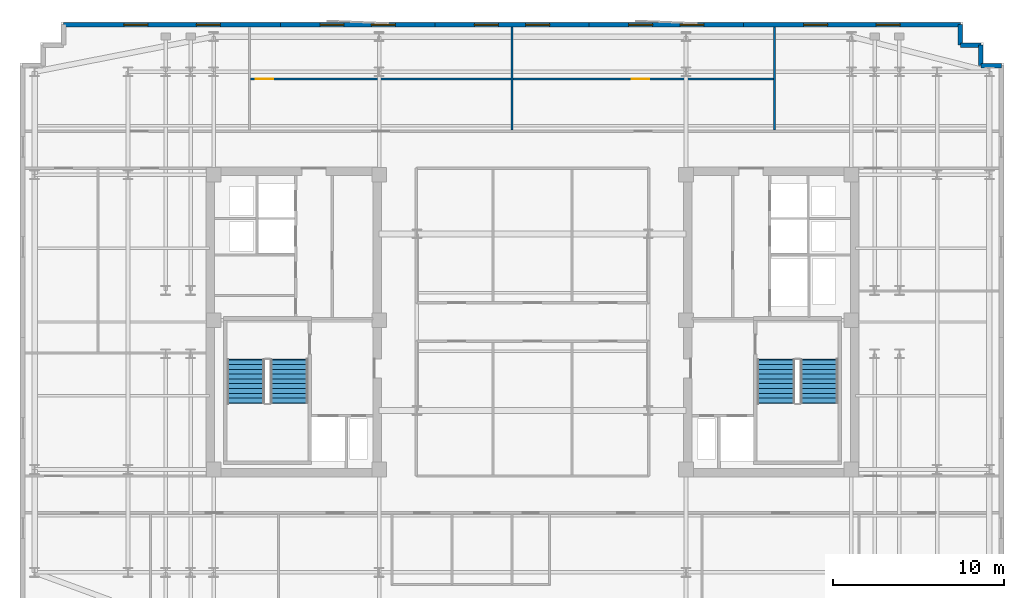
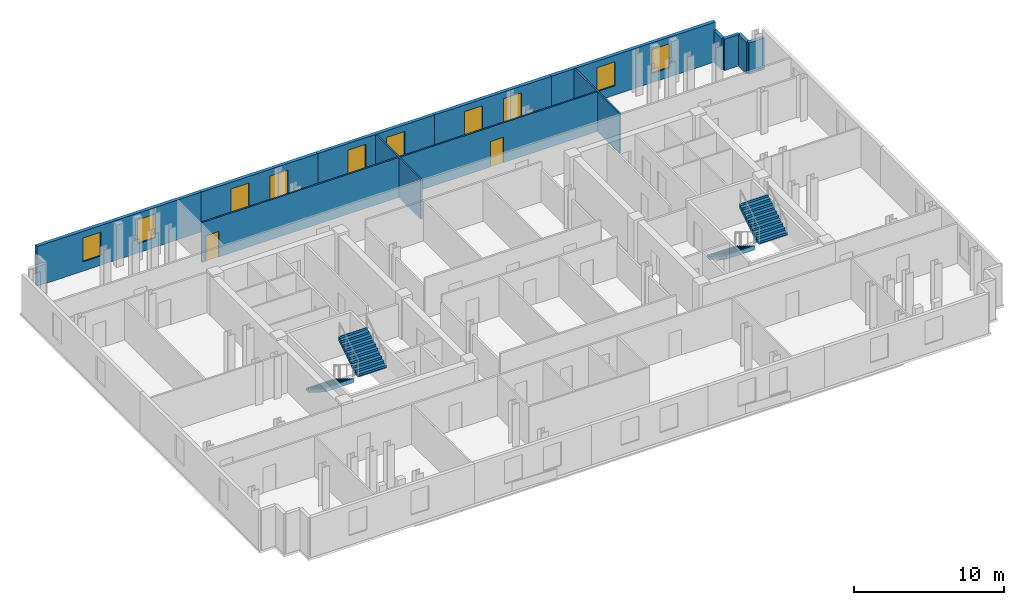
# One storey, part 7 of 9: 12 walls, 10 windows, 4 stair flights, 2 doors, 12 openings, 2 elements without a shape of their own.
"""IFC4 building model written with IfcOpenShell, lengths in metres."""

from ifc_helpers import new_model, si_unit, direction, frame, frame_2d, origin, place, context, subcontext, project, spatial, polyline, rectangle, outline, extrude, material, layer, layer_set, type_object, element, fill, aggregate, save


model = new_model("IFC4")

# Units and contexts
model_context = context("Model", 3, precision=1e-05, world=origin(), true_north=direction((0.0, 1.0)))
body_context = subcontext(model_context, "Body", "Model", "MODEL_VIEW")
ifc_project = project(units=[si_unit("LENGTHUNIT", "METRE"), si_unit("AREAUNIT", "SQUARE_METRE"), si_unit("VOLUMEUNIT", "CUBIC_METRE"), si_unit("PLANEANGLEUNIT", "RADIAN"), si_unit("MASSUNIT", "GRAM", prefix="KILO")], contexts=[model_context])

# Site, building, storey
site_placement = place(None, origin())
site = spatial("IfcSite", under=ifc_project, at=site_placement, CompositionType="ELEMENT")
building_placement = place(site_placement, origin())
building = spatial("IfcBuilding", under=site, at=building_placement, Name="Velakula Bourse", CompositionType="ELEMENT")
storey_placement = place(building_placement, frame((0.0, 0.0, 232.64990234375)))
storey = spatial("IfcBuildingStorey", under=building, at=storey_placement, Name="L63", CompositionType="ELEMENT", Elevation=232.64990234375)

# Wall, openings, windows
ifc_material_1 = material(Name="Buff kilned clay facing brick masonry", Category="masonry")
ifc_layer_1 = layer(ifc_material_1, 0.260009765625, Name="Buff kilned clay facing brick masonry", Category="masonry")
ifc_layer_set_1 = layer_set([ifc_layer_1], Name="Buff kilned clay facing brick masonry")
wall_type_1 = type_object("IfcWallType", Name="WL-EXT-BRK-260", PredefinedType="STANDARD", material=ifc_layer_set_1)
wall_1_placement = place(storey_placement, frame((-27.35009765625, 17.35009765625, 0.0), z_axis=(0.0, 0.0, 1.0), x_axis=(1.0, 0.0, 0.0)))
wall_1 = element("IfcWall", 1, at=wall_1_placement, inside=storey, type_object=wall_type_1, Name="L63 N Brick Spandrel Wall B1", PredefinedType="STANDARD", context=body_context, shape_type="SweptSolid", body=[
    extrude(rectangle(XDim=12.650146484375, YDim=0.260009765625, at=frame_2d((6.3251953125, 0.0))), origin(), (0.0, 0.0, 1.0), 3.25),
])
opening_1_placement = place(wall_1_placement, frame((3.5166015625, 0.0, 0.760009765625)))
opening_1 = element("IfcOpeningElement", 2, at=opening_1_placement, cuts=wall_1, Name="Opening W-03", PredefinedType="OPENING", context=body_context, shape_type="SweptSolid", body=[
    extrude(rectangle(XDim=1.39990234375, YDim=1.949951171875, at=frame_2d((0.699951171875, 0.97509765625))), frame((0.0, 0.139892578125, 0.0), z_axis=(0.0, -1.0, 0.0), x_axis=(1.0, 0.0, 0.0)), (0.0, 0.0, 1.0), 0.280029296875),
])
opening_2_placement = place(wall_1_placement, frame((7.7333984375, 0.0, 0.760009765625)))
opening_2 = element("IfcOpeningElement", 3, at=opening_2_placement, cuts=wall_1, Name="Opening W-03", PredefinedType="OPENING", context=body_context, shape_type="SweptSolid", body=[
    extrude(rectangle(XDim=1.39990234375, YDim=1.949951171875, at=frame_2d((0.699951171875, 0.97509765625))), frame((0.0, 0.139892578125, 0.0), z_axis=(0.0, -1.0, 0.0), x_axis=(1.0, 0.0, 0.0)), (0.0, 0.0, 1.0), 0.280029296875),
])
ifc_material_2 = material(Name="Double-glazed solar-control Low-E glass", Category="glass")
window_type = type_object("IfcWindowType", Name="WIN-TWR-1400x2100", PartitioningType="SINGLE_PANEL", PredefinedType="WINDOW", material=ifc_material_2)
window_1_placement = place(opening_1_placement, origin())
window_1 = element("IfcWindow", 4, at=window_1_placement, inside=storey, type_object=window_type, Name="L63 Deep-Set Recessed Window 1", OverallHeight=1.949951171875, OverallWidth=1.39990234375, PartitioningType="SINGLE_PANEL", PredefinedType="WINDOW", context=body_context, shape_type="SweptSolid", body=[
    extrude(rectangle(XDim=1.39990234375, YDim=1.949951171875, at=frame_2d((0.699951171875, 0.97509765625))), frame((0.0, 0.030029296875, 0.0), z_axis=(0.0, -1.0, 0.0), x_axis=(1.0, 0.0, 0.0)), (0.0, 0.0, 1.0), 0.06005859375),
])
fill(opening_1, window_1)
window_2_placement = place(opening_2_placement, origin())
window_2 = element("IfcWindow", 5, at=window_2_placement, inside=storey, type_object=window_type, Name="L63 Deep-Set Recessed Window 2", OverallHeight=1.949951171875, OverallWidth=1.39990234375, PartitioningType="SINGLE_PANEL", PredefinedType="WINDOW", context=body_context, shape_type="SweptSolid", body=[
    extrude(rectangle(XDim=1.39990234375, YDim=1.949951171875, at=frame_2d((0.699951171875, 0.97509765625))), frame((0.0, 0.030029296875, 0.0), z_axis=(0.0, -1.0, 0.0), x_axis=(1.0, 0.0, 0.0)), (0.0, 0.0, 1.0), 0.06005859375),
])
fill(opening_2, window_2)

wall_2_placement = place(storey_placement, frame((-14.699951171875, 17.35009765625, 0.0), z_axis=(0.0, 0.0, 1.0), x_axis=(1.0, 0.0, 0.0)))
wall_2 = element("IfcWall", 6, at=wall_2_placement, inside=storey, type_object=wall_type_1, Name="L63 N Brick Spandrel Wall B2", PredefinedType="STANDARD", context=body_context, shape_type="SweptSolid", body=[
    extrude(rectangle(XDim=9.0, YDim=0.260009765625, at=frame_2d((4.5, 0.0))), origin(), (0.0, 0.0, 1.0), 3.25),
])
opening_3_placement = place(wall_2_placement, frame((2.300048828125, 0.0, 0.760009765625)))
opening_3 = element("IfcOpeningElement", 7, at=opening_3_placement, cuts=wall_2, Name="Opening W-03", PredefinedType="OPENING", context=body_context, shape_type="SweptSolid", body=[
    extrude(rectangle(XDim=1.39990234375, YDim=1.949951171875, at=frame_2d((0.699951171875, 0.97509765625))), frame((0.0, 0.139892578125, 0.0), z_axis=(0.0, -1.0, 0.0), x_axis=(1.0, 0.0, 0.0)), (0.0, 0.0, 1.0), 0.280029296875),
])
opening_4_placement = place(wall_2_placement, frame((5.300048828125, 0.0, 0.760009765625)))
opening_4 = element("IfcOpeningElement", 8, at=opening_4_placement, cuts=wall_2, Name="Opening W-03", PredefinedType="OPENING", context=body_context, shape_type="SweptSolid", body=[
    extrude(rectangle(XDim=1.39990234375, YDim=1.949951171875, at=frame_2d((0.699951171875, 0.97509765625))), frame((0.0, 0.139892578125, 0.0), z_axis=(0.0, -1.0, 0.0), x_axis=(1.0, 0.0, 0.0)), (0.0, 0.0, 1.0), 0.280029296875),
])
window_3_placement = place(opening_3_placement, origin())
window_3 = element("IfcWindow", 9, at=window_3_placement, inside=storey, type_object=window_type, Name="L63 Deep-Set Recessed Window 1", OverallHeight=1.949951171875, OverallWidth=1.39990234375, PartitioningType="SINGLE_PANEL", PredefinedType="WINDOW", context=body_context, shape_type="SweptSolid", body=[
    extrude(rectangle(XDim=1.39990234375, YDim=1.949951171875, at=frame_2d((0.699951171875, 0.97509765625))), frame((0.0, 0.030029296875, 0.0), z_axis=(0.0, -1.0, 0.0), x_axis=(1.0, 0.0, 0.0)), (0.0, 0.0, 1.0), 0.06005859375),
])
fill(opening_3, window_3)
window_4_placement = place(opening_4_placement, origin())
window_4 = element("IfcWindow", 10, at=window_4_placement, inside=storey, type_object=window_type, Name="L63 Deep-Set Recessed Window 2", OverallHeight=1.949951171875, OverallWidth=1.39990234375, PartitioningType="SINGLE_PANEL", PredefinedType="WINDOW", context=body_context, shape_type="SweptSolid", body=[
    extrude(rectangle(XDim=1.39990234375, YDim=1.949951171875, at=frame_2d((0.699951171875, 0.97509765625))), frame((0.0, 0.030029296875, 0.0), z_axis=(0.0, -1.0, 0.0), x_axis=(1.0, 0.0, 0.0)), (0.0, 0.0, 1.0), 0.06005859375),
])
fill(opening_4, window_4)

wall_3_placement = place(storey_placement, frame((-5.699951171875, 17.35009765625, 0.0), z_axis=(0.0, 0.0, 1.0), x_axis=(1.0, 0.0, 0.0)))
wall_3 = element("IfcWall", 11, at=wall_3_placement, inside=storey, type_object=wall_type_1, Name="L63 N Brick Spandrel Wall B3", PredefinedType="STANDARD", context=body_context, shape_type="SweptSolid", body=[
    extrude(rectangle(XDim=9.0, YDim=0.260009765625, at=frame_2d((4.5, 0.0))), origin(), (0.0, 0.0, 1.0), 3.25),
])
opening_5_placement = place(wall_3_placement, frame((2.300048828125, 0.0, 0.760009765625)))
opening_5 = element("IfcOpeningElement", 12, at=opening_5_placement, cuts=wall_3, Name="Opening W-03", PredefinedType="OPENING", context=body_context, shape_type="SweptSolid", body=[
    extrude(rectangle(XDim=1.39990234375, YDim=1.949951171875, at=frame_2d((0.699951171875, 0.97509765625))), frame((0.0, 0.139892578125, 0.0), z_axis=(0.0, -1.0, 0.0), x_axis=(1.0, 0.0, 0.0)), (0.0, 0.0, 1.0), 0.280029296875),
])
opening_6_placement = place(wall_3_placement, frame((5.300048828125, 0.0, 0.760009765625)))
opening_6 = element("IfcOpeningElement", 13, at=opening_6_placement, cuts=wall_3, Name="Opening W-03", PredefinedType="OPENING", context=body_context, shape_type="SweptSolid", body=[
    extrude(rectangle(XDim=1.39990234375, YDim=1.949951171875, at=frame_2d((0.699951171875, 0.97509765625))), frame((0.0, 0.139892578125, 0.0), z_axis=(0.0, -1.0, 0.0), x_axis=(1.0, 0.0, 0.0)), (0.0, 0.0, 1.0), 0.280029296875),
])
window_5_placement = place(opening_5_placement, origin())
window_5 = element("IfcWindow", 14, at=window_5_placement, inside=storey, type_object=window_type, Name="L63 Deep-Set Recessed Window 1", OverallHeight=1.949951171875, OverallWidth=1.39990234375, PartitioningType="SINGLE_PANEL", PredefinedType="WINDOW", context=body_context, shape_type="SweptSolid", body=[
    extrude(rectangle(XDim=1.39990234375, YDim=1.949951171875, at=frame_2d((0.699951171875, 0.97509765625))), frame((0.0, 0.030029296875, 0.0), z_axis=(0.0, -1.0, 0.0), x_axis=(1.0, 0.0, 0.0)), (0.0, 0.0, 1.0), 0.06005859375),
])
fill(opening_5, window_5)
window_6_placement = place(opening_6_placement, origin())
window_6 = element("IfcWindow", 15, at=window_6_placement, inside=storey, type_object=window_type, Name="L63 Deep-Set Recessed Window 2", OverallHeight=1.949951171875, OverallWidth=1.39990234375, PartitioningType="SINGLE_PANEL", PredefinedType="WINDOW", context=body_context, shape_type="SweptSolid", body=[
    extrude(rectangle(XDim=1.39990234375, YDim=1.949951171875, at=frame_2d((0.699951171875, 0.97509765625))), frame((0.0, 0.030029296875, 0.0), z_axis=(0.0, -1.0, 0.0), x_axis=(1.0, 0.0, 0.0)), (0.0, 0.0, 1.0), 0.06005859375),
])
fill(opening_6, window_6)

wall_4_placement = place(storey_placement, frame((3.300048828125, 17.35009765625, 0.0), z_axis=(0.0, 0.0, 1.0), x_axis=(1.0, 0.0, 0.0)))
wall_4 = element("IfcWall", 16, at=wall_4_placement, inside=storey, type_object=wall_type_1, Name="L63 N Brick Spandrel Wall B4", PredefinedType="STANDARD", context=body_context, shape_type="SweptSolid", body=[
    extrude(rectangle(XDim=9.0, YDim=0.260009765625, at=frame_2d((4.5, 0.0))), origin(), (0.0, 0.0, 1.0), 3.25),
])
opening_7_placement = place(wall_4_placement, frame((2.300048828125, 0.0, 0.760009765625)))
opening_7 = element("IfcOpeningElement", 17, at=opening_7_placement, cuts=wall_4, Name="Opening W-03", PredefinedType="OPENING", context=body_context, shape_type="SweptSolid", body=[
    extrude(rectangle(XDim=1.39990234375, YDim=1.949951171875, at=frame_2d((0.699951171875, 0.97509765625))), frame((0.0, 0.139892578125, 0.0), z_axis=(0.0, -1.0, 0.0), x_axis=(1.0, 0.0, 0.0)), (0.0, 0.0, 1.0), 0.280029296875),
])
opening_8_placement = place(wall_4_placement, frame((5.300048828125, 0.0, 0.760009765625)))
opening_8 = element("IfcOpeningElement", 18, at=opening_8_placement, cuts=wall_4, Name="Opening W-03", PredefinedType="OPENING", context=body_context, shape_type="SweptSolid", body=[
    extrude(rectangle(XDim=1.39990234375, YDim=1.949951171875, at=frame_2d((0.699951171875, 0.97509765625))), frame((0.0, 0.139892578125, 0.0), z_axis=(0.0, -1.0, 0.0), x_axis=(1.0, 0.0, 0.0)), (0.0, 0.0, 1.0), 0.280029296875),
])
window_7_placement = place(opening_7_placement, origin())
window_7 = element("IfcWindow", 19, at=window_7_placement, inside=storey, type_object=window_type, Name="L63 Deep-Set Recessed Window 1", OverallHeight=1.949951171875, OverallWidth=1.39990234375, PartitioningType="SINGLE_PANEL", PredefinedType="WINDOW", context=body_context, shape_type="SweptSolid", body=[
    extrude(rectangle(XDim=1.39990234375, YDim=1.949951171875, at=frame_2d((0.699951171875, 0.97509765625))), frame((0.0, 0.030029296875, 0.0), z_axis=(0.0, -1.0, 0.0), x_axis=(1.0, 0.0, 0.0)), (0.0, 0.0, 1.0), 0.06005859375),
])
fill(opening_7, window_7)
window_8_placement = place(opening_8_placement, origin())
window_8 = element("IfcWindow", 20, at=window_8_placement, inside=storey, type_object=window_type, Name="L63 Deep-Set Recessed Window 2", OverallHeight=1.949951171875, OverallWidth=1.39990234375, PartitioningType="SINGLE_PANEL", PredefinedType="WINDOW", context=body_context, shape_type="SweptSolid", body=[
    extrude(rectangle(XDim=1.39990234375, YDim=1.949951171875, at=frame_2d((0.699951171875, 0.97509765625))), frame((0.0, 0.030029296875, 0.0), z_axis=(0.0, -1.0, 0.0), x_axis=(1.0, 0.0, 0.0)), (0.0, 0.0, 1.0), 0.06005859375),
])
fill(opening_8, window_8)

wall_5_placement = place(storey_placement, frame((12.300048828125, 17.35009765625, 0.0), z_axis=(0.0, 0.0, 1.0), x_axis=(1.0, 0.0, 0.0)))
wall_5 = element("IfcWall", 21, at=wall_5_placement, inside=storey, type_object=wall_type_1, Name="L63 N Brick Spandrel Wall B5", PredefinedType="STANDARD", context=body_context, shape_type="SweptSolid", body=[
    extrude(rectangle(XDim=12.64990234375, YDim=0.260009765625, at=frame_2d((6.324951171875, 0.0))), origin(), (0.0, 0.0, 1.0), 3.25),
])
opening_9_placement = place(wall_5_placement, frame((3.5166015625, 0.0, 0.760009765625)))
opening_9 = element("IfcOpeningElement", 22, at=opening_9_placement, cuts=wall_5, Name="Opening W-03", PredefinedType="OPENING", context=body_context, shape_type="SweptSolid", body=[
    extrude(rectangle(XDim=1.39990234375, YDim=1.949951171875, at=frame_2d((0.699951171875, 0.97509765625))), frame((0.0, 0.139892578125, 0.0), z_axis=(0.0, -1.0, 0.0), x_axis=(1.0, 0.0, 0.0)), (0.0, 0.0, 1.0), 0.280029296875),
])
opening_10_placement = place(wall_5_placement, frame((7.7333984375, 0.0, 0.760009765625)))
opening_10 = element("IfcOpeningElement", 23, at=opening_10_placement, cuts=wall_5, Name="Opening W-03", PredefinedType="OPENING", context=body_context, shape_type="SweptSolid", body=[
    extrude(rectangle(XDim=1.39990234375, YDim=1.949951171875, at=frame_2d((0.699951171875, 0.97509765625))), frame((0.0, 0.139892578125, 0.0), z_axis=(0.0, -1.0, 0.0), x_axis=(1.0, 0.0, 0.0)), (0.0, 0.0, 1.0), 0.280029296875),
])
window_9_placement = place(opening_9_placement, origin())
window_9 = element("IfcWindow", 24, at=window_9_placement, inside=storey, type_object=window_type, Name="L63 Deep-Set Recessed Window 1", OverallHeight=1.949951171875, OverallWidth=1.39990234375, PartitioningType="SINGLE_PANEL", PredefinedType="WINDOW", context=body_context, shape_type="SweptSolid", body=[
    extrude(rectangle(XDim=1.39990234375, YDim=1.949951171875, at=frame_2d((0.699951171875, 0.97509765625))), frame((0.0, 0.030029296875, 0.0), z_axis=(0.0, -1.0, 0.0), x_axis=(1.0, 0.0, 0.0)), (0.0, 0.0, 1.0), 0.06005859375),
])
fill(opening_9, window_9)
window_10_placement = place(opening_10_placement, origin())
window_10 = element("IfcWindow", 25, at=window_10_placement, inside=storey, type_object=window_type, Name="L63 Deep-Set Recessed Window 2", OverallHeight=1.949951171875, OverallWidth=1.39990234375, PartitioningType="SINGLE_PANEL", PredefinedType="WINDOW", context=body_context, shape_type="SweptSolid", body=[
    extrude(rectangle(XDim=1.39990234375, YDim=1.949951171875, at=frame_2d((0.699951171875, 0.97509765625))), frame((0.0, 0.030029296875, 0.0), z_axis=(0.0, -1.0, 0.0), x_axis=(1.0, 0.0, 0.0)), (0.0, 0.0, 1.0), 0.06005859375),
])
fill(opening_10, window_10)

# Walls
wall_6_placement = place(storey_placement, frame((27.35009765625, 14.949951171875, 0.0), z_axis=(0.0, 0.0, 1.0), x_axis=(-1.0, 0.0, 0.0)))
element("IfcWall", 26, at=wall_6_placement, inside=storey, type_object=wall_type_1, Name="L63 Serrated Corner Brick Wall NE-1", PredefinedType="STANDARD", context=body_context, shape_type="SweptSolid", body=[
    extrude(rectangle(XDim=1.2001953125, YDim=0.260009765625, at=frame_2d((0.60009765625, 0.0))), origin(), (0.0, 0.0, 1.0), 2.565185546875),
])
for number, where, z_axis, x_axis, name in (
    (27, (26.14990234375, 14.949951171875, 0.0), (0.0, 0.0, 1.0), (0.0, 1.0, 0.0), "L63 Serrated Corner Brick Wall NE-2"),
    (28, (26.14990234375, 16.14990234375, 0.0), (0.0, 0.0, 1.0), (-1.0, 0.0, 0.0), "L63 Serrated Corner Brick Wall NE-3"),
):
    element("IfcWall", number, at=place(storey_placement, frame(where, z_axis=z_axis, x_axis=x_axis)), inside=storey, type_object=wall_type_1, Name=name, PredefinedType="STANDARD", context=body_context, shape_type="SweptSolid", body=[
        extrude(rectangle(XDim=1.199951171875, YDim=0.260009765625, at=frame_2d((0.60009765625, 0.0))), origin(), (0.0, 0.0, 1.0), 2.565185546875),
    ])
wall_7_placement = place(storey_placement, frame((24.949951171875, 16.14990234375, 0.0), z_axis=(0.0, 0.0, 1.0), x_axis=(0.0, 1.0, 0.0)))
element("IfcWall", 29, at=wall_7_placement, inside=storey, type_object=wall_type_1, Name="L63 Serrated Corner Brick Wall NE-4", PredefinedType="STANDARD", context=body_context, shape_type="SweptSolid", body=[
    extrude(rectangle(XDim=1.2001953125, YDim=0.260009765625, at=frame_2d((0.60009765625, 0.0))), origin(), (0.0, 0.0, 1.0), 2.565185546875),
])
ifc_material_3 = material(Name="Fire-rated double-layer gypsum drywall partition", Category="gypsum")
ifc_layer_2 = layer(ifc_material_3, 0.1201171875, Name="Fire-rated double-layer gypsum drywall partition", Category="gypsum")
ifc_layer_set_2 = layer_set([ifc_layer_2], Name="Fire-rated double-layer gypsum drywall partition")
wall_type_2 = type_object("IfcWallType", Name="WL-PART-120", PredefinedType="STANDARD", material=ifc_layer_set_2)
for number, where, z_axis, x_axis, name in (
    (30, (-1.199951171875, 11.18994140625, 0.0), (0.0, 0.0, 1.0), (0.0, 1.0, 0.0), "L63 Interior Partition WL-INT-L63-N-D2"),
    (31, (14.114013671875, 11.18994140625, 0.0), (0.0, 0.0, 1.0), (0.0, 1.0, 0.0), "L63 Interior Partition WL-INT-L63-N-D3"),
):
    element("IfcWall", number, at=place(storey_placement, frame(where, z_axis=z_axis, x_axis=x_axis)), inside=storey, type_object=wall_type_2, Name=name, PredefinedType="STANDARD", context=body_context, shape_type="SweptSolid", body=[
        extrude(rectangle(XDim=6.030029296875, YDim=0.1201171875, at=frame_2d((3.01513671875, 0.0))), origin(), (0.0, 0.0, 1.0), 3.25),
    ])

# Wall, openings, doors
wall_8_placement = place(storey_placement, frame((-16.4541015625, 14.175048828125, 0.0), z_axis=(0.0, 0.0, 1.0), x_axis=(1.0, 0.0, 0.0)))
wall_8 = element("IfcWall", 32, at=wall_8_placement, inside=storey, type_object=wall_type_2, Name="L63 Interior Partition WL-INT-L63-N-MID", PredefinedType="STANDARD", context=body_context, shape_type="SweptSolid", body=[
    extrude(rectangle(XDim=30.508056640625, YDim=0.1201171875, at=frame_2d((15.25390625, 0.0))), origin(), (0.0, 0.0, 1.0), 3.25),
])
opening_11_placement = place(wall_8_placement, frame((0.320068359375, 0.0, 0.0)))
opening_11 = element("IfcOpeningElement", 33, at=opening_11_placement, cuts=wall_8, Name="Opening D-OF1", PredefinedType="OPENING", context=body_context, shape_type="SweptSolid", body=[
    extrude(rectangle(XDim=1.0, YDim=2.080078125, at=frame_2d((0.5, 1.0400390625))), frame((0.0, 0.070068359375, 0.0), z_axis=(0.0, -1.0, 0.0), x_axis=(1.0, 0.0, 0.0)), (0.0, 0.0, 1.0), 0.14013671875),
])
opening_12_placement = place(wall_8_placement, frame((22.25390625, 0.0, 0.0)))
opening_12 = element("IfcOpeningElement", 34, at=opening_12_placement, cuts=wall_8, Name="Opening D-OF1", PredefinedType="OPENING", context=body_context, shape_type="SweptSolid", body=[
    extrude(rectangle(XDim=1.0, YDim=2.080078125, at=frame_2d((0.5, 1.0400390625))), frame((0.0, 0.070068359375, 0.0), z_axis=(0.0, -1.0, 0.0), x_axis=(1.0, 0.0, 0.0)), (0.0, 0.0, 1.0), 0.14013671875),
])
ifc_material_4 = material(Name="Fire-rated hardwood flush architectural door", Category="wood")
door_type = type_object("IfcDoorType", Name="DR-OFF-1000", OperationType="NOTDEFINED", PredefinedType="DOOR", material=ifc_material_4)
door_1_placement = place(opening_11_placement, origin())
door_1 = element("IfcDoor", 35, at=door_1_placement, inside=storey, type_object=door_type, Name="L63 Clearing Committee Room Door", OperationType="SINGLE_SWING_LEFT", OverallHeight=2.080078125, OverallWidth=1.0, PredefinedType="DOOR", context=body_context, shape_type="SweptSolid", body=[
    extrude(rectangle(XDim=1.0, YDim=2.080078125, at=frame_2d((0.5, 1.0400390625))), frame((0.0, 0.02490234375, 0.0), z_axis=(0.0, -1.0, 0.0), x_axis=(1.0, 0.0, 0.0)), (0.0, 0.0, 1.0), 0.050048828125),
])
fill(opening_11, door_1)
door_2_placement = place(opening_12_placement, origin())
door_2 = element("IfcDoor", 36, at=door_2_placement, inside=storey, type_object=door_type, Name="L63 Tea Room Kitchenette Door", OperationType="SINGLE_SWING_LEFT", OverallHeight=2.080078125, OverallWidth=1.0, PredefinedType="DOOR", context=body_context, shape_type="SweptSolid", body=[
    extrude(rectangle(XDim=1.0, YDim=2.080078125, at=frame_2d((0.5, 1.0400390625))), frame((0.0, 0.02490234375, 0.0), z_axis=(0.0, -1.0, 0.0), x_axis=(1.0, 0.0, 0.0)), (0.0, 0.0, 1.0), 0.050048828125),
])
fill(opening_12, door_2)

# Stair, stair flights
ifc_material_5 = material(Name="Concrete M45 (fck 45 MPa)", Category="concrete")
stair_type = type_object("IfcStairType", Name="STR-DOG-390", PredefinedType="HALF_TURN_STAIR", material=ifc_material_5)
stair_1_placement = place(storey_placement, origin())
stair_1 = element("IfcStair", 37, at=stair_1_placement, inside=storey, type_object=stair_type, Name="L63 West Core Exit Stair ST-W1", PredefinedType="HALF_TURN_STAIR")
ifc_layer_3 = layer(ifc_material_5, 0.195068359375, Name="Concrete M45 (fck 45 MPa)", Category="concrete")
ifc_layer_set_3 = layer_set([ifc_layer_3], Name="Concrete M45 (fck 45 MPa)")
stair_flight_type = type_object("IfcStairFlightType", Name="FLT-DOG-390", PredefinedType="STRAIGHT", material=ifc_layer_set_3)
stair_flight_1_placement = place(storey_placement, frame((-16.720947265625, -2.199951171875, 0.0), z_axis=(0.0, 0.0, 1.0), x_axis=(0.0, -1.0, 0.0)))
stair_flight_1 = element("IfcStairFlight", 38, at=stair_flight_1_placement, type_object=stair_flight_type, Name="ST-W1 flight 1", NumberOfRisers=10, NumberOfTreads=9, PredefinedType="STRAIGHT", RiserHeight=0.1725, TreadLength=0.28, context=body_context, shape_type="SweptSolid", body=[
    extrude(outline(polyline([(-0.044921875, -0.0400390625), (-0.044921875, -0.036865234375), (-0.044921875, -0.033935546875), (-0.044921875, -0.03076171875), (-0.044921875, -0.027587890625), (-0.044921875, -0.024658203125), (-0.044921875, -0.021484375), (-0.044921875, -0.0185546875), (-0.044921875, -0.015380859375), (-0.044921875, -0.01220703125), (-0.044921875, -0.00927734375), (-0.044921875, -0.006103515625), (-0.044921875, -0.003173828125), (-0.044921875, 0.0), (0.0, 0.0), (0.0, 0.172607421875), (0.280029296875, 0.172607421875), (0.280029296875, 0.344970703125), (0.56005859375, 0.344970703125), (0.56005859375, 0.517578125), (0.840087890625, 0.517578125), (0.840087890625, 0.68994140625), (1.1201171875, 0.68994140625), (1.1201171875, 0.862548828125), (1.39990234375, 0.862548828125), (1.39990234375, 1.034912109375), (1.679931640625, 1.034912109375), (1.679931640625, 1.20751953125), (1.9599609375, 1.20751953125), (1.9599609375, 1.3798828125), (2.239990234375, 1.3798828125), (2.239990234375, 1.552490234375), (2.52001953125, 1.552490234375), (2.52001953125, 1.72509765625), (2.56494140625, 1.72509765625), (2.56494140625, 1.7001953125), (2.56494140625, 1.67529296875), (2.56494140625, 1.650390625), (2.56494140625, 1.62548828125), (2.56494140625, 1.6005859375), (2.56494140625, 1.57568359375), (2.56494140625, 1.55078125), (2.56494140625, 1.52587890625), (2.56494140625, 1.5009765625), (2.56494140625, 1.47607421875), (2.56494140625, 1.451171875), (2.56494140625, 1.42626953125), (2.56494140625, 1.4013671875), (2.56494140625, 1.37646484375), (0.285888671875, -0.0400390625), (-0.044921875, -0.0400390625)])), frame((0.0, 1.09912109375, 0.0), z_axis=(0.0, -1.0, 0.0), x_axis=(1.0, 0.0, 0.0)), (0.0, 0.0, 1.0), 2.197998046875),
])
stair_flight_2_placement = place(storey_placement, frame((-14.198974609375, -4.719970703125, 1.72509765625), z_axis=(0.0, 0.0, 1.0), x_axis=(0.0, 1.0, 0.0)))
stair_flight_2 = element("IfcStairFlight", 39, at=stair_flight_2_placement, type_object=stair_flight_type, Name="ST-W1 flight 2", NumberOfRisers=10, NumberOfTreads=9, PredefinedType="STRAIGHT", RiserHeight=0.1725, TreadLength=0.28, context=body_context, shape_type="SweptSolid", body=[
    extrude(outline(polyline([(-0.044921875, -0.0400390625), (-0.044921875, -0.036865234375), (-0.044921875, -0.033935546875), (-0.044921875, -0.03076171875), (-0.044921875, -0.027587890625), (-0.044921875, -0.024658203125), (-0.044921875, -0.021484375), (-0.044921875, -0.0185546875), (-0.044921875, -0.015380859375), (-0.044921875, -0.01220703125), (-0.044921875, -0.00927734375), (-0.044921875, -0.006103515625), (-0.044921875, -0.003173828125), (-0.044921875, 0.0), (0.0, 0.0), (0.0, 0.172607421875), (0.280029296875, 0.172607421875), (0.280029296875, 0.344970703125), (0.56005859375, 0.344970703125), (0.56005859375, 0.517578125), (0.840087890625, 0.517578125), (0.840087890625, 0.68994140625), (1.1201171875, 0.68994140625), (1.1201171875, 0.862548828125), (1.39990234375, 0.862548828125), (1.39990234375, 1.034912109375), (1.679931640625, 1.034912109375), (1.679931640625, 1.20751953125), (1.9599609375, 1.20751953125), (1.9599609375, 1.3798828125), (2.239990234375, 1.3798828125), (2.239990234375, 1.552490234375), (2.52001953125, 1.552490234375), (2.52001953125, 1.72509765625), (2.56494140625, 1.72509765625), (2.56494140625, 1.7001953125), (2.56494140625, 1.67529296875), (2.56494140625, 1.650390625), (2.56494140625, 1.62548828125), (2.56494140625, 1.6005859375), (2.56494140625, 1.57568359375), (2.56494140625, 1.55078125), (2.56494140625, 1.52587890625), (2.56494140625, 1.5009765625), (2.56494140625, 1.47607421875), (2.56494140625, 1.451171875), (2.56494140625, 1.42626953125), (2.56494140625, 1.4013671875), (2.56494140625, 1.37646484375), (0.285888671875, -0.0400390625), (-0.044921875, -0.0400390625)])), frame((0.0, 1.09912109375, 0.0), z_axis=(0.0, -1.0, 0.0), x_axis=(1.0, 0.0, 0.0)), (0.0, 0.0, 1.0), 2.197998046875),
])
aggregate(stair_1, [stair_flight_1, stair_flight_2])

stair_2_placement = place(storey_placement, origin())
stair_2 = element("IfcStair", 40, at=stair_2_placement, inside=storey, type_object=stair_type, Name="L63 East Core Exit Stair ST-E1", PredefinedType="HALF_TURN_STAIR")
stair_flight_3_placement = place(storey_placement, frame((14.198974609375, -2.199951171875, 0.0), z_axis=(0.0, 0.0, 1.0), x_axis=(0.0, -1.0, 0.0)))
stair_flight_3 = element("IfcStairFlight", 41, at=stair_flight_3_placement, type_object=stair_flight_type, Name="ST-E1 flight 1", NumberOfRisers=10, NumberOfTreads=9, PredefinedType="STRAIGHT", RiserHeight=0.1725, TreadLength=0.28, context=body_context, shape_type="SweptSolid", body=[
    extrude(outline(polyline([(-0.044921875, -0.0400390625), (-0.044921875, -0.036865234375), (-0.044921875, -0.033935546875), (-0.044921875, -0.03076171875), (-0.044921875, -0.027587890625), (-0.044921875, -0.024658203125), (-0.044921875, -0.021484375), (-0.044921875, -0.0185546875), (-0.044921875, -0.015380859375), (-0.044921875, -0.01220703125), (-0.044921875, -0.00927734375), (-0.044921875, -0.006103515625), (-0.044921875, -0.003173828125), (-0.044921875, 0.0), (0.0, 0.0), (0.0, 0.172607421875), (0.280029296875, 0.172607421875), (0.280029296875, 0.344970703125), (0.56005859375, 0.344970703125), (0.56005859375, 0.517578125), (0.840087890625, 0.517578125), (0.840087890625, 0.68994140625), (1.1201171875, 0.68994140625), (1.1201171875, 0.862548828125), (1.39990234375, 0.862548828125), (1.39990234375, 1.034912109375), (1.679931640625, 1.034912109375), (1.679931640625, 1.20751953125), (1.9599609375, 1.20751953125), (1.9599609375, 1.3798828125), (2.239990234375, 1.3798828125), (2.239990234375, 1.552490234375), (2.52001953125, 1.552490234375), (2.52001953125, 1.72509765625), (2.56494140625, 1.72509765625), (2.56494140625, 1.7001953125), (2.56494140625, 1.67529296875), (2.56494140625, 1.650390625), (2.56494140625, 1.62548828125), (2.56494140625, 1.6005859375), (2.56494140625, 1.57568359375), (2.56494140625, 1.55078125), (2.56494140625, 1.52587890625), (2.56494140625, 1.5009765625), (2.56494140625, 1.47607421875), (2.56494140625, 1.451171875), (2.56494140625, 1.42626953125), (2.56494140625, 1.4013671875), (2.56494140625, 1.37646484375), (0.285888671875, -0.0400390625), (-0.044921875, -0.0400390625)])), frame((0.0, 1.09912109375, 0.0), z_axis=(0.0, -1.0, 0.0), x_axis=(1.0, 0.0, 0.0)), (0.0, 0.0, 1.0), 2.197998046875),
])
stair_flight_4_placement = place(storey_placement, frame((16.720947265625, -4.719970703125, 1.72509765625), z_axis=(0.0, 0.0, 1.0), x_axis=(0.0, 1.0, 0.0)))
stair_flight_4 = element("IfcStairFlight", 42, at=stair_flight_4_placement, type_object=stair_flight_type, Name="ST-E1 flight 2", NumberOfRisers=10, NumberOfTreads=9, PredefinedType="STRAIGHT", RiserHeight=0.1725, TreadLength=0.28, context=body_context, shape_type="SweptSolid", body=[
    extrude(outline(polyline([(-0.044921875, -0.0400390625), (-0.044921875, -0.036865234375), (-0.044921875, -0.033935546875), (-0.044921875, -0.03076171875), (-0.044921875, -0.027587890625), (-0.044921875, -0.024658203125), (-0.044921875, -0.021484375), (-0.044921875, -0.0185546875), (-0.044921875, -0.015380859375), (-0.044921875, -0.01220703125), (-0.044921875, -0.00927734375), (-0.044921875, -0.006103515625), (-0.044921875, -0.003173828125), (-0.044921875, 0.0), (0.0, 0.0), (0.0, 0.172607421875), (0.280029296875, 0.172607421875), (0.280029296875, 0.344970703125), (0.56005859375, 0.344970703125), (0.56005859375, 0.517578125), (0.840087890625, 0.517578125), (0.840087890625, 0.68994140625), (1.1201171875, 0.68994140625), (1.1201171875, 0.862548828125), (1.39990234375, 0.862548828125), (1.39990234375, 1.034912109375), (1.679931640625, 1.034912109375), (1.679931640625, 1.20751953125), (1.9599609375, 1.20751953125), (1.9599609375, 1.3798828125), (2.239990234375, 1.3798828125), (2.239990234375, 1.552490234375), (2.52001953125, 1.552490234375), (2.52001953125, 1.72509765625), (2.56494140625, 1.72509765625), (2.56494140625, 1.7001953125), (2.56494140625, 1.67529296875), (2.56494140625, 1.650390625), (2.56494140625, 1.62548828125), (2.56494140625, 1.6005859375), (2.56494140625, 1.57568359375), (2.56494140625, 1.55078125), (2.56494140625, 1.52587890625), (2.56494140625, 1.5009765625), (2.56494140625, 1.47607421875), (2.56494140625, 1.451171875), (2.56494140625, 1.42626953125), (2.56494140625, 1.4013671875), (2.56494140625, 1.37646484375), (0.285888671875, -0.0400390625), (-0.044921875, -0.0400390625)])), frame((0.0, 1.09912109375, 0.0), z_axis=(0.0, -1.0, 0.0), x_axis=(1.0, 0.0, 0.0)), (0.0, 0.0, 1.0), 2.197998046875),
])
aggregate(stair_2, [stair_flight_3, stair_flight_4])

save(model, "model.ifc")
